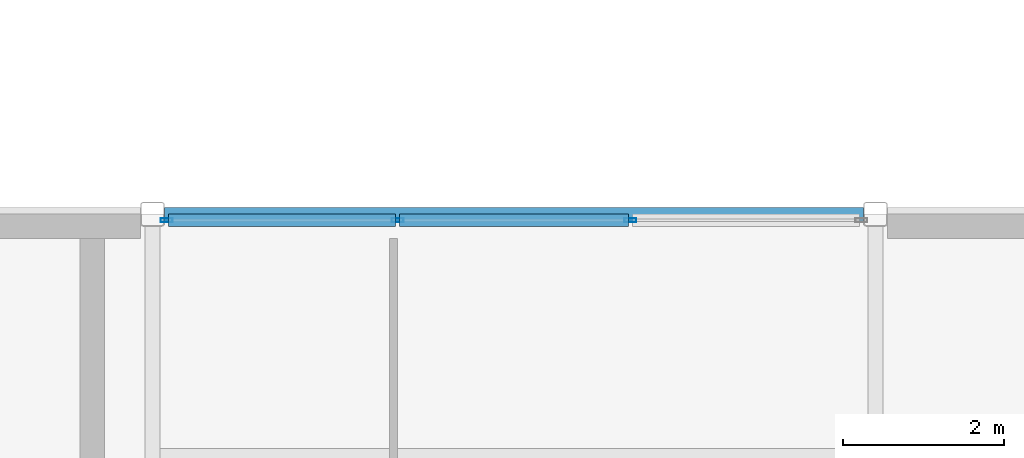
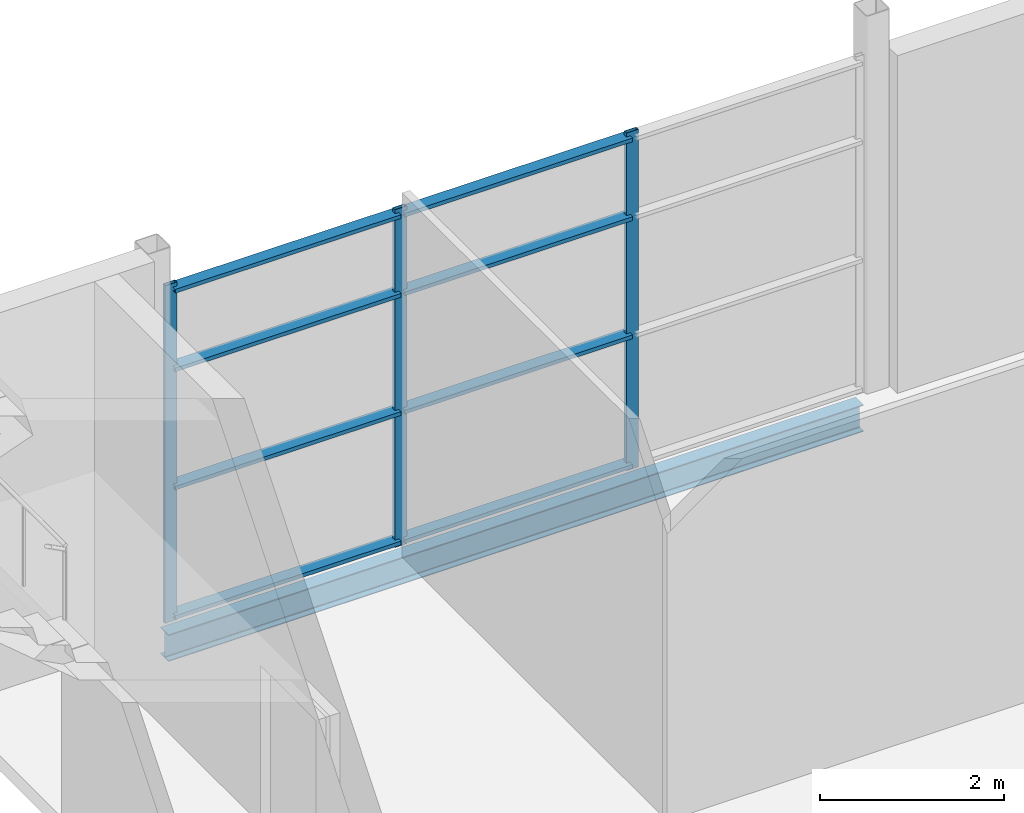
# One storey, part 31 of 112: 11 members, 1 beam, 1 element without a shape of its own.
"""IFC4 building model written with IfcOpenShell, lengths in metres."""

from ifc_helpers import new_model, si_unit, direction, frame, origin, origin_2d, place, context, subcontext, project, spatial, hollow_rectangle, i_section, extrude, material, layer, layer_set, material_profile, profile_set, type_object, element, aggregate, save


model = new_model("IFC4")

# Units and contexts
model_context = context("Model", 3, precision=1e-05, world=origin(), true_north=direction((0.0, 1.0)))
body_context = subcontext(model_context, "Body", "Model", "MODEL_VIEW")
ifc_project = project(units=[si_unit("LENGTHUNIT", "METRE"), si_unit("AREAUNIT", "SQUARE_METRE"), si_unit("VOLUMEUNIT", "CUBIC_METRE"), si_unit("PLANEANGLEUNIT", "RADIAN"), si_unit("MASSUNIT", "GRAM", prefix="KILO")], contexts=[model_context])

# Site, building, storey
site_placement = place(None, origin())
site = spatial("IfcSite", under=ifc_project, at=site_placement, CompositionType="ELEMENT")
building_placement = place(site_placement, origin())
building = spatial("IfcBuilding", under=site, at=building_placement, Name="Shorebreak Coast Museum", CompositionType="ELEMENT")
storey_placement = place(building_placement, frame((0.0, 0.0, 6.0)))
storey = spatial("IfcBuildingStorey", under=building, at=storey_placement, Name="L01", CompositionType="ELEMENT", Elevation=6.0)

# Beam
ifc_material_1 = material(Name="Steel Grade 300", Category="steel")
ifc_material_profile_1 = material_profile(ifc_material_1, i_section(OverallWidth=0.1708984375, OverallDepth=0.355712890625, WebThickness=0.00732421875, FlangeThickness=0.011474609375, FilletRadius=0.011474609375, at=origin_2d()), Name="360UB50.7")
ifc_profile_set_1 = profile_set([ifc_material_profile_1], Name="Steel Grade 300")
beam_type = type_object("IfcBeamType", Name="Floor girder east-west 360UB50.7", PredefinedType="BEAM", material=ifc_profile_set_1)
beam_placement = place(storey_placement, frame((9.14990234375, 90.0, -0.352783203125), z_axis=(1.0, 0.0, 0.0), x_axis=(0.0, 1.0, 0.0)))
element("IfcBeam", 1, at=beam_placement, inside=storey, type_object=beam_type, Name="Floor girder east-west L01 2L", PredefinedType="BEAM", context=body_context, shape_type="SweptSolid", body=[
    extrude(i_section(OverallWidth=0.1708984375, OverallDepth=0.355712890625, WebThickness=0.00732421875, FlangeThickness=0.011474609375, FilletRadius=0.011474609375, at=origin_2d()), origin(), (0.0, 0.0, 1.0), 8.7001953125),
])

# Curtain wall, members
ifc_material_2 = material(Name="Aluminium", Category="aluminium")
ifc_layer = layer(ifc_material_2, 0.14990234375)
ifc_layer_set = layer_set([ifc_layer], Name="Aluminium")
curtain_wall_type = type_object("IfcCurtainWallType", Name="Storefront curtain wall", PredefinedType="NOTDEFINED", material=ifc_layer_set)
curtain_wall_placement = place(storey_placement, origin())
curtain_wall = element("IfcCurtainWall", 2, at=curtain_wall_placement, inside=storey, type_object=curtain_wall_type, Name="Storefront L01 N 12", PredefinedType="NOTDEFINED")
ifc_material_3 = material(Name="Aluminium", Category="aluminium")
ifc_material_profile_2 = material_profile(ifc_material_3, hollow_rectangle(XDim=0.050048828125, YDim=0.14990234375, WallThickness=0.00390625, at=origin_2d()), Name="AL 150x50 RHS")
ifc_profile_set_2 = profile_set([ifc_material_profile_2], Name="Aluminium")
member_type_1 = type_object("IfcMemberType", Name="Storefront mullion 50 x 150", PredefinedType="MULLION", material=ifc_profile_set_2)
member_1_placement = place(storey_placement, frame((9.175048828125, 89.925048828125, 0.0), z_axis=(0.0, 0.0, 1.0), x_axis=(0.0, 1.0, 0.0)))
member_1 = element("IfcMember", 3, at=member_1_placement, type_object=member_type_1, Name="CW8 mullion 1", PredefinedType="MULLION", context=body_context, shape_type="SweptSolid", body=[
    extrude(hollow_rectangle(XDim=0.050048828125, YDim=0.14990234375, WallThickness=0.00390625, at=origin_2d()), origin(), (0.0, 0.0, 1.0), 4.469482421875),
])
member_2_placement = place(storey_placement, frame((12.050048828125, 89.925048828125, 0.0), z_axis=(0.0, 0.0, 1.0), x_axis=(0.0, 1.0, 0.0)))
member_2 = element("IfcMember", 4, at=member_2_placement, type_object=member_type_1, Name="CW8 mullion 2", PredefinedType="MULLION", context=body_context, shape_type="SweptSolid", body=[
    extrude(hollow_rectangle(XDim=0.050048828125, YDim=0.14990234375, WallThickness=0.00390625, at=origin_2d()), origin(), (0.0, 0.0, 1.0), 4.469482421875),
])
member_3_placement = place(storey_placement, frame((14.949951171875, 89.925048828125, 0.0), z_axis=(0.0, 0.0, 1.0), x_axis=(0.0, 1.0, 0.0)))
member_3 = element("IfcMember", 5, at=member_3_placement, type_object=member_type_1, Name="CW8 mullion 3", PredefinedType="MULLION", context=body_context, shape_type="SweptSolid", body=[
    extrude(hollow_rectangle(XDim=0.050048828125, YDim=0.14990234375, WallThickness=0.00390625, at=origin_2d()), origin(), (0.0, 0.0, 1.0), 4.469482421875),
])
ifc_material_4 = material(Name="Aluminium", Category="aluminium")
ifc_material_profile_3 = material_profile(ifc_material_4, hollow_rectangle(XDim=0.14990234375, YDim=0.050048828125, WallThickness=0.00390625, at=origin_2d()), Name="AL 50x150 RHS")
ifc_profile_set_3 = profile_set([ifc_material_profile_3], Name="Aluminium")
member_type_2 = type_object("IfcMemberType", Name="Storefront transom 150 x 50", PredefinedType="USERDEFINED", material=ifc_profile_set_3)
member_4_placement = place(storey_placement, frame((9.199951171875, 89.925048828125, 0.074951171875), z_axis=(1.0, 0.0, 0.0), x_axis=(0.0, 1.0, 0.0)))
member_4 = element("IfcMember", 6, at=member_4_placement, type_object=member_type_2, Name="CW8 transom 1.1", ObjectType="TRANSOM", PredefinedType="USERDEFINED", context=body_context, shape_type="SweptSolid", body=[
    extrude(hollow_rectangle(XDim=0.14990234375, YDim=0.050048828125, WallThickness=0.00390625, at=origin_2d()), origin(), (0.0, 0.0, 1.0), 2.824951171875),
])
member_5_placement = place(storey_placement, frame((9.199951171875, 89.925048828125, 1.787841796875), z_axis=(1.0, 0.0, 0.0), x_axis=(0.0, 1.0, 0.0)))
member_5 = element("IfcMember", 7, at=member_5_placement, type_object=member_type_2, Name="CW8 transom 1.2", ObjectType="TRANSOM", PredefinedType="USERDEFINED", context=body_context, shape_type="SweptSolid", body=[
    extrude(hollow_rectangle(XDim=0.14990234375, YDim=0.050048828125, WallThickness=0.00390625, at=origin_2d()), origin(), (0.0, 0.0, 1.0), 2.824951171875),
])
member_6_placement = place(storey_placement, frame((9.199951171875, 89.925048828125, 3.35205078125), z_axis=(1.0, 0.0, 0.0), x_axis=(0.0, 1.0, 0.0)))
member_6 = element("IfcMember", 8, at=member_6_placement, type_object=member_type_2, Name="CW8 transom 1.3", ObjectType="TRANSOM", PredefinedType="USERDEFINED", context=body_context, shape_type="SweptSolid", body=[
    extrude(hollow_rectangle(XDim=0.14990234375, YDim=0.050048828125, WallThickness=0.00390625, at=origin_2d()), origin(), (0.0, 0.0, 1.0), 2.824951171875),
])
member_7_placement = place(storey_placement, frame((9.199951171875, 89.925048828125, 4.394287109375), z_axis=(1.0, 0.0, 0.0), x_axis=(0.0, 1.0, 0.0)))
member_7 = element("IfcMember", 9, at=member_7_placement, type_object=member_type_2, Name="CW8 transom 1.4", ObjectType="TRANSOM", PredefinedType="USERDEFINED", context=body_context, shape_type="SweptSolid", body=[
    extrude(hollow_rectangle(XDim=0.14990234375, YDim=0.050048828125, WallThickness=0.00390625, at=origin_2d()), origin(), (0.0, 0.0, 1.0), 2.824951171875),
])
member_8_placement = place(storey_placement, frame((12.074951171875, 89.925048828125, 0.074951171875), z_axis=(1.0, 0.0, 0.0), x_axis=(0.0, 1.0, 0.0)))
member_8 = element("IfcMember", 10, at=member_8_placement, type_object=member_type_2, Name="CW8 transom 2.1", ObjectType="TRANSOM", PredefinedType="USERDEFINED", context=body_context, shape_type="SweptSolid", body=[
    extrude(hollow_rectangle(XDim=0.14990234375, YDim=0.050048828125, WallThickness=0.00390625, at=origin_2d()), origin(), (0.0, 0.0, 1.0), 2.85009765625),
])
member_9_placement = place(storey_placement, frame((12.074951171875, 89.925048828125, 1.787841796875), z_axis=(1.0, 0.0, 0.0), x_axis=(0.0, 1.0, 0.0)))
member_9 = element("IfcMember", 11, at=member_9_placement, type_object=member_type_2, Name="CW8 transom 2.2", ObjectType="TRANSOM", PredefinedType="USERDEFINED", context=body_context, shape_type="SweptSolid", body=[
    extrude(hollow_rectangle(XDim=0.14990234375, YDim=0.050048828125, WallThickness=0.00390625, at=origin_2d()), origin(), (0.0, 0.0, 1.0), 2.85009765625),
])
member_10_placement = place(storey_placement, frame((12.074951171875, 89.925048828125, 3.35205078125), z_axis=(1.0, 0.0, 0.0), x_axis=(0.0, 1.0, 0.0)))
member_10 = element("IfcMember", 12, at=member_10_placement, type_object=member_type_2, Name="CW8 transom 2.3", ObjectType="TRANSOM", PredefinedType="USERDEFINED", context=body_context, shape_type="SweptSolid", body=[
    extrude(hollow_rectangle(XDim=0.14990234375, YDim=0.050048828125, WallThickness=0.00390625, at=origin_2d()), origin(), (0.0, 0.0, 1.0), 2.85009765625),
])
member_11_placement = place(storey_placement, frame((12.074951171875, 89.925048828125, 4.394287109375), z_axis=(1.0, 0.0, 0.0), x_axis=(0.0, 1.0, 0.0)))
member_11 = element("IfcMember", 13, at=member_11_placement, type_object=member_type_2, Name="CW8 transom 2.4", ObjectType="TRANSOM", PredefinedType="USERDEFINED", context=body_context, shape_type="SweptSolid", body=[
    extrude(hollow_rectangle(XDim=0.14990234375, YDim=0.050048828125, WallThickness=0.00390625, at=origin_2d()), origin(), (0.0, 0.0, 1.0), 2.85009765625),
])
aggregate(curtain_wall, [member_1, member_2, member_3, member_4, member_5, member_6, member_7, member_8, member_9, member_10, member_11])

save(model, "model.ifc")
